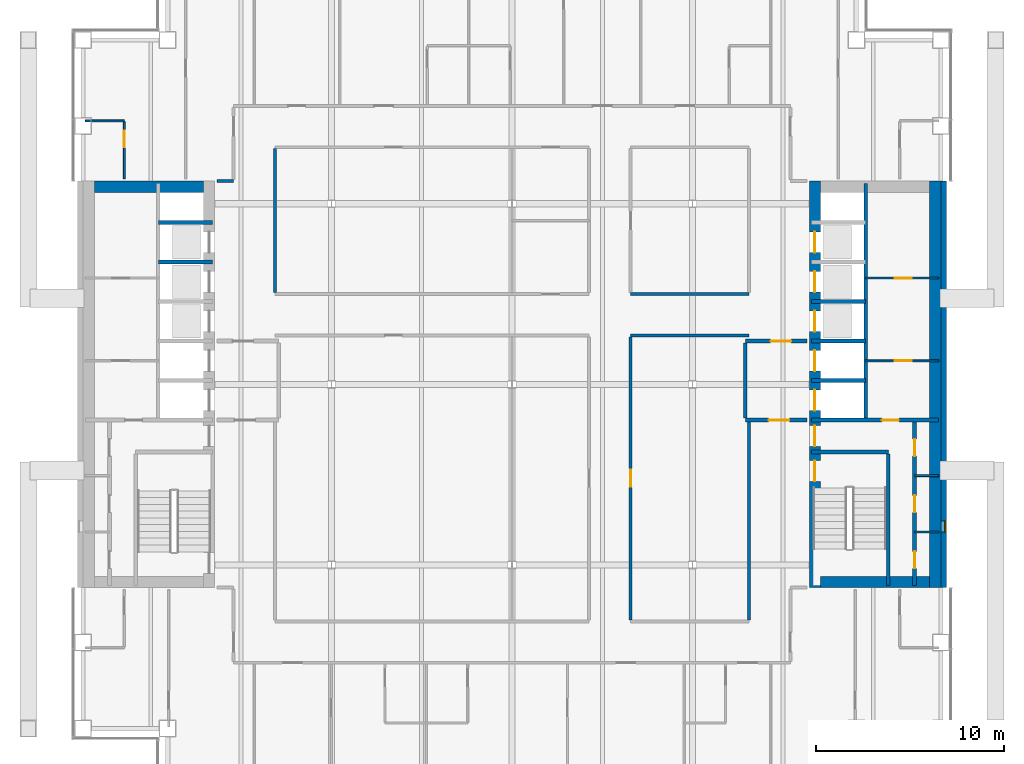
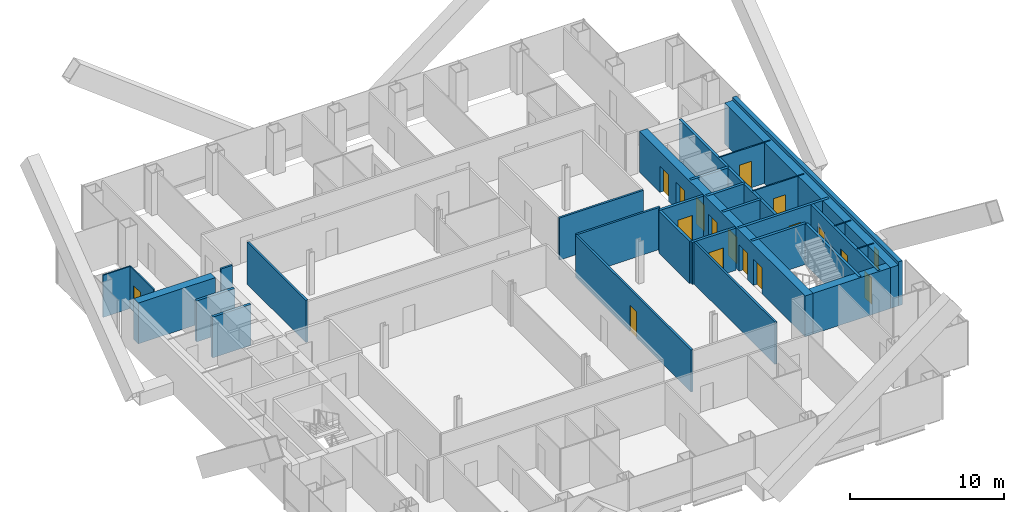
# One storey, part 13 of 17: 30 walls, 17 doors, 1 window, 18 openings.
"""IFC4 building model written with IfcOpenShell, lengths in metres."""

from ifc_helpers import new_model, si_unit, direction, frame, frame_2d, origin, place, context, subcontext, project, spatial, rectangle, extrude, material, layer, layer_set, type_object, element, fill, save


model = new_model("IFC4")

# Units and contexts
model_context = context("Model", 3, precision=1e-05, world=origin(), true_north=direction((0.0, 1.0)))
body_context = subcontext(model_context, "Body", "Model", "MODEL_VIEW")
ifc_project = project(units=[si_unit("LENGTHUNIT", "METRE"), si_unit("AREAUNIT", "SQUARE_METRE"), si_unit("VOLUMEUNIT", "CUBIC_METRE"), si_unit("PLANEANGLEUNIT", "RADIAN"), si_unit("MASSUNIT", "GRAM", prefix="KILO")], contexts=[model_context])

# Site, building, storey
site_placement = place(None, origin())
site = spatial("IfcSite", under=ifc_project, at=site_placement, CompositionType="ELEMENT")
building_placement = place(site_placement, origin())
building = spatial("IfcBuilding", under=site, at=building_placement, Name="Cobrizo Arcos Hotel Tower", CompositionType="ELEMENT")
storey_placement = place(building_placement, frame((0.0, 0.0, 106.5)))
storey = spatial("IfcBuildingStorey", under=building, at=storey_placement, Name="L26", CompositionType="ELEMENT", Elevation=106.5)

# Walls
ifc_material_1 = material(Name="Gypsum board partition")
ifc_layer_1 = layer(ifc_material_1, 0.14990234375)
ifc_layer_set_1 = layer_set([ifc_layer_1], Name="Corridor wall EI 60 150")
wall_type_1 = type_object("IfcWallType", Name="Corridor wall EI 60 150", PredefinedType="PARTITIONING", material=ifc_layer_set_1)
for number, where, z_axis, x_axis, name in (
    (1, (6.300048828125, 2.60009765625, 0.0), (0.0, 0.0, 1.0), (1.0, 0.0, 0.0), "Partition 029"),
    (2, (6.300048828125, 4.800048828125, 0.0), (0.0, 0.0, 1.0), (1.0, 0.0, 0.0), "Partition 033"),
):
    element("IfcWall", number, at=place(storey_placement, frame(where, z_axis=z_axis, x_axis=x_axis)), inside=storey, type_object=wall_type_1, Name=name, PredefinedType="PARTITIONING", context=body_context, shape_type="SweptSolid", body=[
        extrude(rectangle(XDim=6.300048828125, YDim=0.14990234375, at=frame_2d((3.14990234375, 0.0))), origin(), (0.0, 0.0, 1.0), 3.35009765625),
    ])
wall_1_placement = place(storey_placement, frame((-15.679931640625, 10.800048828125, 0.0), z_axis=(0.0, 0.0, 1.0), x_axis=(1.0, 0.0, 0.0)))
element("IfcWall", 3, at=wall_1_placement, inside=storey, type_object=wall_type_1, Name="Partition 041", PredefinedType="PARTITIONING", context=body_context, shape_type="SweptSolid", body=[
    extrude(rectangle(XDim=0.8798828125, YDim=0.14990234375, at=frame_2d((0.43994140625, 0.0))), origin(), (0.0, 0.0, 1.0), 3.35009765625),
])
wall_2_placement = place(storey_placement, frame((-12.60009765625, 4.875, 0.0), z_axis=(0.0, 0.0, 1.0), x_axis=(0.0, 1.0, 0.0)))
element("IfcWall", 4, at=wall_2_placement, inside=storey, type_object=wall_type_1, Name="Partition 062", PredefinedType="PARTITIONING", context=body_context, shape_type="SweptSolid", body=[
    extrude(rectangle(XDim=7.64990234375, YDim=0.14990234375, at=frame_2d((3.824951171875, 0.0))), origin(), (0.0, 0.0, 1.0), 3.35009765625),
])

# Wall, opening, door
wall_3_placement = place(storey_placement, frame((6.300048828125, -12.52490234375, 0.0), z_axis=(0.0, 0.0, 1.0), x_axis=(0.0, 1.0, 0.0)))
wall_3 = element("IfcWall", 5, at=wall_3_placement, inside=storey, type_object=wall_type_1, Name="Partition 087", PredefinedType="PARTITIONING", context=body_context, shape_type="SweptSolid", body=[
    extrude(rectangle(XDim=15.0498046875, YDim=0.14990234375, at=frame_2d((7.52490234375, 0.0))), origin(), (0.0, 0.0, 1.0), 3.35009765625),
])
opening_1_placement = place(wall_3_placement, frame((7.074951171875, 0.0, 0.0)))
opening_1 = element("IfcOpeningElement", 6, at=opening_1_placement, cuts=wall_3, Name="Opening RD-21", PredefinedType="OPENING", context=body_context, shape_type="SweptSolid", body=[
    extrude(rectangle(XDim=0.89990234375, YDim=2.10009765625, at=frame_2d((0.449951171875, 1.050048828125))), frame((0.0, 0.0869140625, 0.0), z_axis=(0.0, -1.0, 0.0), x_axis=(1.0, 0.0, 0.0)), (0.0, 0.0, 1.0), 0.173828125),
])
ifc_material_2 = material(Name="Timber door leaf", Category="wood")
door_type_1 = type_object("IfcDoorType", Name="Room door FD30 900x2100", OperationType="SINGLE_SWING_LEFT", PredefinedType="DOOR", material=ifc_material_2)
door_1_placement = place(opening_1_placement, origin())
door_1 = element("IfcDoor", 7, at=door_1_placement, inside=storey, type_object=door_type_1, Name="Door RD-21", OperationType="SINGLE_SWING_RIGHT", OverallHeight=2.10009765625, OverallWidth=0.89990234375, PredefinedType="DOOR", context=body_context, shape_type="SweptSolid", body=[
    extrude(rectangle(XDim=0.89990234375, YDim=2.10009765625, at=frame_2d((0.449951171875, 1.050048828125))), frame((0.0, 0.02490234375, 0.0), z_axis=(0.0, -1.0, 0.0), x_axis=(1.0, 0.0, 0.0)), (0.0, 0.0, 1.0), 0.050048828125),
])
fill(opening_1, door_1)

# Wall
wall_4_placement = place(storey_placement, frame((12.60009765625, -12.52490234375, 0.0), z_axis=(0.0, 0.0, 1.0), x_axis=(0.0, 1.0, 0.0)))
element("IfcWall", 8, at=wall_4_placement, inside=storey, type_object=wall_type_1, Name="Partition 094", PredefinedType="PARTITIONING", context=body_context, shape_type="SweptSolid", body=[
    extrude(rectangle(XDim=10.52490234375, YDim=0.14990234375, at=frame_2d((5.262451171875, 0.0))), origin(), (0.0, 0.0, 1.0), 3.35009765625),
])

# Wall, opening, window
ifc_material_3 = material(Name="Aluminium composite panel pale metal", Category="aluminium")
ifc_layer_2 = layer(ifc_material_3, 0.300048828125)
ifc_layer_set_2 = layer_set([ifc_layer_2], Name="EW-1 insulated panel wall 300")
wall_type_2 = type_object("IfcWallType", Name="EW-1 insulated panel wall 300", PredefinedType="SOLIDWALL", material=ifc_layer_set_2)
wall_5_placement = place(storey_placement, frame((22.949951171875, -10.800048828125, 0.0), z_axis=(0.0, 0.0, 1.0), x_axis=(0.0, 1.0, 0.0)))
wall_5 = element("IfcWall", 9, at=wall_5_placement, inside=storey, type_object=wall_type_2, Name="Core face wall L26 E", PredefinedType="SOLIDWALL", context=body_context, shape_type="SweptSolid", body=[
    extrude(rectangle(XDim=21.60009765625, YDim=0.300048828125, at=frame_2d((10.800048828125, 0.0))), origin(), (0.0, 0.0, 1.0), 3.5),
])
opening_2_placement = place(wall_5_placement, frame((2.949951171875, 0.0, 1.0)))
opening_2 = element("IfcOpeningElement", 10, at=opening_2_placement, cuts=wall_5, Name="Opening W-53", PredefinedType="OPENING", context=body_context, shape_type="SweptSolid", body=[
    extrude(rectangle(XDim=0.60009765625, YDim=1.5, at=frame_2d((0.300048828125, 0.75))), frame((0.0, 0.162109375, 0.0), z_axis=(0.0, -1.0, 0.0), x_axis=(1.0, 0.0, 0.0)), (0.0, 0.0, 1.0), 0.323974609375),
])
ifc_material_4 = material(Name="Aluminium 6063-T6 and clear laminated glass", Category="aluminium")
window_type = type_object("IfcWindowType", Name="W-C1 core stair slot window 600x1500", PartitioningType="SINGLE_PANEL", PredefinedType="WINDOW", material=ifc_material_4)
window_placement = place(opening_2_placement, origin())
window = element("IfcWindow", 11, at=window_placement, inside=storey, type_object=window_type, Name="Core face wall L26 E window W-53", OverallHeight=1.5, OverallWidth=0.60009765625, PartitioningType="SINGLE_PANEL", PredefinedType="WINDOW", context=body_context, shape_type="SweptSolid", body=[
    extrude(rectangle(XDim=0.60009765625, YDim=1.5, at=frame_2d((0.300048828125, 0.75))), frame((0.0, -0.06005859375, 0.0), z_axis=(0.0, -1.0, 0.0), x_axis=(1.0, 0.0, 0.0)), (0.0, 0.0, 1.0), 0.06005859375),
])
fill(opening_2, window)

# Walls
ifc_layer_3 = layer(ifc_material_1, 0.10009765625)
ifc_layer_set_3 = layer_set([ifc_layer_3], Name="Partition EI 30 100")
wall_type_3 = type_object("IfcWallType", Name="Partition EI 30 100", PredefinedType="PARTITIONING", material=ifc_layer_set_3)
for number, where, z_axis, x_axis, name in (
    (12, (21.39990234375, -7.85009765625, 0.0), (0.0, 0.0, 1.0), (1.0, 0.0, 0.0), "Partition 011"),
    (13, (21.39990234375, -4.85009765625, 0.0), (0.0, 0.0, 1.0), (1.0, 0.0, 0.0), "Partition 013"),
):
    element("IfcWall", number, at=place(storey_placement, frame(where, z_axis=z_axis, x_axis=x_axis)), inside=storey, type_object=wall_type_3, Name=name, PredefinedType="PARTITIONING", context=body_context, shape_type="SweptSolid", body=[
        extrude(rectangle(XDim=1.280029296875, YDim=0.10009765625, at=frame_2d((0.64013671875, 0.0))), origin(), (0.0, 0.0, 1.0), 3.25),
    ])

# Wall, opening, door
wall_6_placement = place(storey_placement, frame((18.800048828125, 1.25, 0.0), z_axis=(0.0, 0.0, 1.0), x_axis=(1.0, 0.0, 0.0)))
wall_6 = element("IfcWall", 14, at=wall_6_placement, inside=storey, type_object=wall_type_3, Name="Partition 023", PredefinedType="PARTITIONING", context=body_context, shape_type="SweptSolid", body=[
    extrude(rectangle(XDim=3.8798828125, YDim=0.10009765625, at=frame_2d((1.93994140625, 0.0))), origin(), (0.0, 0.0, 1.0), 3.25),
])
opening_3_placement = place(wall_6_placement, frame((1.550048828125, 0.0, 0.0)))
opening_3 = element("IfcOpeningElement", 15, at=opening_3_placement, cuts=wall_6, Name="Opening RD-09", PredefinedType="OPENING", context=body_context, shape_type="SweptSolid", body=[
    extrude(rectangle(XDim=0.89990234375, YDim=2.10009765625, at=frame_2d((0.449951171875, 1.050048828125))), frame((0.0, 0.06201171875, 0.0), z_axis=(0.0, -1.0, 0.0), x_axis=(1.0, 0.0, 0.0)), (0.0, 0.0, 1.0), 0.1240234375),
])
door_2_placement = place(opening_3_placement, origin())
door_2 = element("IfcDoor", 16, at=door_2_placement, inside=storey, type_object=door_type_1, Name="Door RD-09", OperationType="SINGLE_SWING_RIGHT", OverallHeight=2.10009765625, OverallWidth=0.89990234375, PredefinedType="DOOR", context=body_context, shape_type="SweptSolid", body=[
    extrude(rectangle(XDim=0.89990234375, YDim=2.10009765625, at=frame_2d((0.449951171875, 1.050048828125))), frame((0.0, 0.02490234375, 0.0), z_axis=(0.0, -1.0, 0.0), x_axis=(1.0, 0.0, 0.0)), (0.0, 0.0, 1.0), 0.050048828125),
])
fill(opening_3, door_2)

wall_7_placement = place(storey_placement, frame((18.800048828125, 5.64990234375, 0.0), z_axis=(0.0, 0.0, 1.0), x_axis=(1.0, 0.0, 0.0)))
wall_7 = element("IfcWall", 17, at=wall_7_placement, inside=storey, type_object=wall_type_3, Name="Partition 035", PredefinedType="PARTITIONING", context=body_context, shape_type="SweptSolid", body=[
    extrude(rectangle(XDim=3.8798828125, YDim=0.10009765625, at=frame_2d((1.93994140625, 0.0))), origin(), (0.0, 0.0, 1.0), 3.25),
])
opening_4_placement = place(wall_7_placement, frame((1.550048828125, 0.0, 0.0)))
opening_4 = element("IfcOpeningElement", 18, at=opening_4_placement, cuts=wall_7, Name="Opening RD-10", PredefinedType="OPENING", context=body_context, shape_type="SweptSolid", body=[
    extrude(rectangle(XDim=0.89990234375, YDim=2.10009765625, at=frame_2d((0.449951171875, 1.050048828125))), frame((0.0, 0.06201171875, 0.0), z_axis=(0.0, -1.0, 0.0), x_axis=(1.0, 0.0, 0.0)), (0.0, 0.0, 1.0), 0.1240234375),
])
door_3_placement = place(opening_4_placement, origin())
door_3 = element("IfcDoor", 19, at=door_3_placement, inside=storey, type_object=door_type_1, Name="Door RD-10", OperationType="SINGLE_SWING_LEFT", OverallHeight=2.10009765625, OverallWidth=0.89990234375, PredefinedType="DOOR", context=body_context, shape_type="SweptSolid", body=[
    extrude(rectangle(XDim=0.89990234375, YDim=2.10009765625, at=frame_2d((0.449951171875, 1.050048828125))), frame((0.0, 0.02490234375, 0.0), z_axis=(0.0, -1.0, 0.0), x_axis=(1.0, 0.0, 0.0)), (0.0, 0.0, 1.0), 0.050048828125),
])
fill(opening_4, door_3)

# Wall
wall_8_placement = place(storey_placement, frame((-22.679931640625, 14.0, 0.0), z_axis=(0.0, 0.0, 1.0), x_axis=(1.0, 0.0, 0.0)))
element("IfcWall", 20, at=wall_8_placement, inside=storey, type_object=wall_type_3, Name="Partition 045", PredefinedType="PARTITIONING", context=body_context, shape_type="SweptSolid", body=[
    extrude(rectangle(XDim=2.079833984375, YDim=0.10009765625, at=frame_2d((1.0400390625, 0.0))), origin(), (0.0, 0.0, 1.0), 3.35009765625),
])

# Wall, opening, door
wall_9_placement = place(storey_placement, frame((-20.60009765625, 10.919921875, 0.0), z_axis=(0.0, 0.0, 1.0), x_axis=(0.0, 1.0, 0.0)))
wall_9 = element("IfcWall", 21, at=wall_9_placement, inside=storey, type_object=wall_type_3, Name="Partition 052", PredefinedType="PARTITIONING", context=body_context, shape_type="SweptSolid", body=[
    extrude(rectangle(XDim=3.030029296875, YDim=0.10009765625, at=frame_2d((1.51513671875, 0.0))), origin(), (0.0, 0.0, 1.0), 3.35009765625),
])
opening_5_placement = place(wall_9_placement, frame((1.669921875, 0.0, 0.0)))
opening_5 = element("IfcOpeningElement", 22, at=opening_5_placement, cuts=wall_9, Name="Opening ED-10", PredefinedType="OPENING", context=body_context, shape_type="SweptSolid", body=[
    extrude(rectangle(XDim=0.89990234375, YDim=2.10009765625, at=frame_2d((0.449951171875, 1.050048828125))), frame((0.0, 0.06201171875, 0.0), z_axis=(0.0, -1.0, 0.0), x_axis=(1.0, 0.0, 0.0)), (0.0, 0.0, 1.0), 0.1240234375),
])
door_type_2 = type_object("IfcDoorType", Name="En-suite door 900x2100", OperationType="SINGLE_SWING_LEFT", PredefinedType="DOOR", material=ifc_material_2)
door_4_placement = place(opening_5_placement, origin())
door_4 = element("IfcDoor", 23, at=door_4_placement, inside=storey, type_object=door_type_2, Name="Door ED-10", OperationType="SINGLE_SWING_RIGHT", OverallHeight=2.10009765625, OverallWidth=0.89990234375, PredefinedType="DOOR", context=body_context, shape_type="SweptSolid", body=[
    extrude(rectangle(XDim=0.89990234375, YDim=2.10009765625, at=frame_2d((0.449951171875, 1.050048828125))), frame((0.0, 0.02490234375, 0.0), z_axis=(0.0, -1.0, 0.0), x_axis=(1.0, 0.0, 0.0)), (0.0, 0.0, 1.0), 0.050048828125),
])
fill(opening_5, door_4)

# Wall, openings, doors
ifc_material_5 = material(Name="Concrete f'c 50 MPa", Category="concrete")
ifc_layer_4 = layer(ifc_material_5, 0.60009765625)
ifc_layer_set_4 = layer_set([ifc_layer_4], Name="RC core wall 600 f'c 50")
wall_type_4 = type_object("IfcWallType", Name="RC core wall 600 f'c 50", PredefinedType="SHEAR", material=ifc_layer_set_4)
wall_10_placement = place(storey_placement, frame((16.10009765625, -10.800048828125, 0.0), z_axis=(0.0, 0.0, 1.0), x_axis=(0.0, 1.0, 0.0)))
wall_10 = element("IfcWall", 24, at=wall_10_placement, inside=storey, type_object=wall_type_4, Name="Core wall CW2, east core, inner face, L26", PredefinedType="SHEAR", context=body_context, shape_type="SweptSolid", body=[
    extrude(rectangle(XDim=21.60009765625, YDim=0.60009765625, at=frame_2d((10.800048828125, 0.0))), origin(), (0.0, 0.0, 1.0), 3.25),
])
opening_6_placement = place(wall_10_placement, frame((9.39990234375, 0.0, 0.0)))
opening_6 = element("IfcOpeningElement", 25, at=opening_6_placement, cuts=wall_10, Name="Opening LD-06", PredefinedType="OPENING", context=body_context, shape_type="SweptSolid", body=[
    extrude(rectangle(XDim=1.10009765625, YDim=2.10009765625, at=frame_2d((0.550048828125, 1.050048828125))), frame((0.0, 0.31201171875, 0.0), z_axis=(0.0, -1.0, 0.0), x_axis=(1.0, 0.0, 0.0)), (0.0, 0.0, 1.0), 0.6240234375),
])
opening_7_placement = place(wall_10_placement, frame((11.5, 0.0, 0.0)))
opening_7 = element("IfcOpeningElement", 26, at=opening_7_placement, cuts=wall_10, Name="Opening LD-07", PredefinedType="OPENING", context=body_context, shape_type="SweptSolid", body=[
    extrude(rectangle(XDim=1.10009765625, YDim=2.10009765625, at=frame_2d((0.550048828125, 1.050048828125))), frame((0.0, 0.31201171875, 0.0), z_axis=(0.0, -1.0, 0.0), x_axis=(1.0, 0.0, 0.0)), (0.0, 0.0, 1.0), 0.6240234375),
])
opening_8_placement = place(wall_10_placement, frame((13.60009765625, 0.0, 0.0)))
opening_8 = element("IfcOpeningElement", 27, at=opening_8_placement, cuts=wall_10, Name="Opening LD-08", PredefinedType="OPENING", context=body_context, shape_type="SweptSolid", body=[
    extrude(rectangle(XDim=1.10009765625, YDim=2.10009765625, at=frame_2d((0.550048828125, 1.050048828125))), frame((0.0, 0.31201171875, 0.0), z_axis=(0.0, -1.0, 0.0), x_axis=(1.0, 0.0, 0.0)), (0.0, 0.0, 1.0), 0.6240234375),
])
opening_9_placement = place(wall_10_placement, frame((15.699951171875, 0.0, 0.0)))
opening_9 = element("IfcOpeningElement", 28, at=opening_9_placement, cuts=wall_10, Name="Opening LD-09", PredefinedType="OPENING", context=body_context, shape_type="SweptSolid", body=[
    extrude(rectangle(XDim=1.10009765625, YDim=2.10009765625, at=frame_2d((0.550048828125, 1.050048828125))), frame((0.0, 0.31201171875, 0.0), z_axis=(0.0, -1.0, 0.0), x_axis=(1.0, 0.0, 0.0)), (0.0, 0.0, 1.0), 0.6240234375),
])
opening_10_placement = place(wall_10_placement, frame((17.800048828125, 0.0, 0.0)))
opening_10 = element("IfcOpeningElement", 29, at=opening_10_placement, cuts=wall_10, Name="Opening LD-10", PredefinedType="OPENING", context=body_context, shape_type="SweptSolid", body=[
    extrude(rectangle(XDim=1.10009765625, YDim=2.10009765625, at=frame_2d((0.550048828125, 1.050048828125))), frame((0.0, 0.31201171875, 0.0), z_axis=(0.0, -1.0, 0.0), x_axis=(1.0, 0.0, 0.0)), (0.0, 0.0, 1.0), 0.6240234375),
])
opening_11_placement = place(wall_10_placement, frame((5.64208984375, 0.0, 0.0)))
opening_11 = element("IfcOpeningElement", 30, at=opening_11_placement, cuts=wall_10, Name="Opening SD-02", PredefinedType="OPENING", context=body_context, shape_type="SweptSolid", body=[
    extrude(rectangle(XDim=1.10009765625, YDim=2.10009765625, at=frame_2d((0.550048828125, 1.050048828125))), frame((0.0, 0.31201171875, 0.0), z_axis=(0.0, -1.0, 0.0), x_axis=(1.0, 0.0, 0.0)), (0.0, 0.0, 1.0), 0.6240234375),
])
opening_12_placement = place(wall_10_placement, frame((7.5, 0.0, 0.0)))
opening_12 = element("IfcOpeningElement", 31, at=opening_12_placement, cuts=wall_10, Name="Opening FD-04", PredefinedType="OPENING", context=body_context, shape_type="SweptSolid", body=[
    extrude(rectangle(XDim=1.10009765625, YDim=2.10009765625, at=frame_2d((0.550048828125, 1.050048828125))), frame((0.0, 0.31201171875, 0.0), z_axis=(0.0, -1.0, 0.0), x_axis=(1.0, 0.0, 0.0)), (0.0, 0.0, 1.0), 0.6240234375),
])
ifc_material_6 = material(Name="Steel door leaf", Category="steel")
door_type_3 = type_object("IfcDoorType", Name="Fire door FD60 1100x2100", OperationType="SINGLE_SWING_LEFT", PredefinedType="DOOR", material=ifc_material_6)
door_5_placement = place(opening_12_placement, origin())
door_5 = element("IfcDoor", 32, at=door_5_placement, inside=storey, type_object=door_type_3, Name="Door FD-04", OperationType="SINGLE_SWING_LEFT", OverallHeight=2.10009765625, OverallWidth=1.10009765625, PredefinedType="DOOR", context=body_context, shape_type="SweptSolid", body=[
    extrude(rectangle(XDim=1.10009765625, YDim=2.10009765625, at=frame_2d((0.550048828125, 1.050048828125))), frame((0.0, 0.02490234375, 0.0), z_axis=(0.0, -1.0, 0.0), x_axis=(1.0, 0.0, 0.0)), (0.0, 0.0, 1.0), 0.050048828125),
])
fill(opening_12, door_5)
door_type_4 = type_object("IfcDoorType", Name="Lift landing door 1100x2100", OperationType="SLIDING_TO_LEFT", PredefinedType="DOOR", material=ifc_material_6)
door_6_placement = place(opening_6_placement, origin())
door_6 = element("IfcDoor", 33, at=door_6_placement, inside=storey, type_object=door_type_4, Name="Lift landing door LD-06", OperationType="SLIDING_TO_LEFT", OverallHeight=2.10009765625, OverallWidth=1.10009765625, PredefinedType="DOOR", context=body_context, shape_type="SweptSolid", body=[
    extrude(rectangle(XDim=1.10009765625, YDim=2.10009765625, at=frame_2d((0.550048828125, 1.050048828125))), frame((0.0, 0.02490234375, 0.0), z_axis=(0.0, -1.0, 0.0), x_axis=(1.0, 0.0, 0.0)), (0.0, 0.0, 1.0), 0.050048828125),
])
fill(opening_6, door_6)
door_7_placement = place(opening_7_placement, origin())
door_7 = element("IfcDoor", 34, at=door_7_placement, inside=storey, type_object=door_type_4, Name="Lift landing door LD-07", OperationType="SLIDING_TO_LEFT", OverallHeight=2.10009765625, OverallWidth=1.10009765625, PredefinedType="DOOR", context=body_context, shape_type="SweptSolid", body=[
    extrude(rectangle(XDim=1.10009765625, YDim=2.10009765625, at=frame_2d((0.550048828125, 1.050048828125))), frame((0.0, 0.02490234375, 0.0), z_axis=(0.0, -1.0, 0.0), x_axis=(1.0, 0.0, 0.0)), (0.0, 0.0, 1.0), 0.050048828125),
])
fill(opening_7, door_7)
door_8_placement = place(opening_8_placement, origin())
door_8 = element("IfcDoor", 35, at=door_8_placement, inside=storey, type_object=door_type_4, Name="Lift landing door LD-08", OperationType="SLIDING_TO_LEFT", OverallHeight=2.10009765625, OverallWidth=1.10009765625, PredefinedType="DOOR", context=body_context, shape_type="SweptSolid", body=[
    extrude(rectangle(XDim=1.10009765625, YDim=2.10009765625, at=frame_2d((0.550048828125, 1.050048828125))), frame((0.0, 0.02490234375, 0.0), z_axis=(0.0, -1.0, 0.0), x_axis=(1.0, 0.0, 0.0)), (0.0, 0.0, 1.0), 0.050048828125),
])
fill(opening_8, door_8)
door_9_placement = place(opening_9_placement, origin())
door_9 = element("IfcDoor", 36, at=door_9_placement, inside=storey, type_object=door_type_4, Name="Lift landing door LD-09", OperationType="SLIDING_TO_LEFT", OverallHeight=2.10009765625, OverallWidth=1.10009765625, PredefinedType="DOOR", context=body_context, shape_type="SweptSolid", body=[
    extrude(rectangle(XDim=1.10009765625, YDim=2.10009765625, at=frame_2d((0.550048828125, 1.050048828125))), frame((0.0, 0.02490234375, 0.0), z_axis=(0.0, -1.0, 0.0), x_axis=(1.0, 0.0, 0.0)), (0.0, 0.0, 1.0), 0.050048828125),
])
fill(opening_9, door_9)
door_10_placement = place(opening_10_placement, origin())
door_10 = element("IfcDoor", 37, at=door_10_placement, inside=storey, type_object=door_type_4, Name="Lift landing door LD-10", OperationType="SLIDING_TO_LEFT", OverallHeight=2.10009765625, OverallWidth=1.10009765625, PredefinedType="DOOR", context=body_context, shape_type="SweptSolid", body=[
    extrude(rectangle(XDim=1.10009765625, YDim=2.10009765625, at=frame_2d((0.550048828125, 1.050048828125))), frame((0.0, 0.02490234375, 0.0), z_axis=(0.0, -1.0, 0.0), x_axis=(1.0, 0.0, 0.0)), (0.0, 0.0, 1.0), 0.050048828125),
])
fill(opening_10, door_10)
door_type_5 = type_object("IfcDoorType", Name="Stair door FD60S 1100x2100", OperationType="SINGLE_SWING_LEFT", PredefinedType="DOOR", material=ifc_material_6)
door_11_placement = place(opening_11_placement, origin())
door_11 = element("IfcDoor", 38, at=door_11_placement, inside=storey, type_object=door_type_5, Name="Door SD-02", OperationType="SINGLE_SWING_RIGHT", OverallHeight=2.10009765625, OverallWidth=1.10009765625, PredefinedType="DOOR", context=body_context, shape_type="SweptSolid", body=[
    extrude(rectangle(XDim=1.10009765625, YDim=2.10009765625, at=frame_2d((0.550048828125, 1.050048828125))), frame((0.0, 0.02490234375, 0.0), z_axis=(0.0, -1.0, 0.0), x_axis=(1.0, 0.0, 0.0)), (0.0, 0.0, 1.0), 0.050048828125),
])
fill(opening_11, door_11)

# Walls
wall_11_placement = place(storey_placement, frame((22.5, -10.800048828125, 0.0), z_axis=(0.0, 0.0, 1.0), x_axis=(0.0, 1.0, 0.0)))
element("IfcWall", 39, at=wall_11_placement, inside=storey, type_object=wall_type_4, Name="Core wall CW2, east core, outer face, L26", PredefinedType="SHEAR", context=body_context, shape_type="SweptSolid", body=[
    extrude(rectangle(XDim=21.60009765625, YDim=0.60009765625, at=frame_2d((10.800048828125, 0.0))), origin(), (0.0, 0.0, 1.0), 3.25),
])
for number, where, z_axis, x_axis, name in (
    (40, (16.39990234375, -10.5, 0.0), (0.0, 0.0, 1.0), (1.0, 0.0, 0.0), "Core wall CW2, east core, south end, L26"),
    (41, (-22.199951171875, 10.5, 0.0), (0.0, 0.0, 1.0), (1.0, 0.0, 0.0), "Core wall CW2, west core, north end, L26"),
):
    element("IfcWall", number, at=place(storey_placement, frame(where, z_axis=z_axis, x_axis=x_axis)), inside=storey, type_object=wall_type_4, Name=name, PredefinedType="SHEAR", context=body_context, shape_type="SweptSolid", body=[
        extrude(rectangle(XDim=5.800048828125, YDim=0.60009765625, at=frame_2d((2.89990234375, 0.0))), origin(), (0.0, 0.0, 1.0), 3.25),
    ])

# Wall, opening, door
ifc_layer_5 = layer(ifc_material_1, 0.199951171875)
ifc_layer_set_5 = layer_set([ifc_layer_5], Name="Shaft wall EI 120 200")
wall_type_5 = type_object("IfcWallType", Name="Shaft wall EI 120 200", PredefinedType="PARTITIONING", material=ifc_layer_set_5)
wall_12_placement = place(storey_placement, frame((12.39990234375, -1.89990234375, 0.0), z_axis=(0.0, 0.0, 1.0), x_axis=(1.0, 0.0, 0.0)))
wall_12 = element("IfcWall", 42, at=wall_12_placement, inside=storey, type_object=wall_type_5, Name="Partition 018", PredefinedType="PARTITIONING", context=body_context, shape_type="SweptSolid", body=[
    extrude(rectangle(XDim=3.280029296875, YDim=0.199951171875, at=frame_2d((1.64013671875, 0.0))), origin(), (0.0, 0.0, 1.0), 3.35009765625),
])
opening_13_placement = place(wall_12_placement, frame((1.239990234375, 0.0, 0.0)))
opening_13 = element("IfcOpeningElement", 43, at=opening_13_placement, cuts=wall_12, Name="Opening FD-05", PredefinedType="OPENING", context=body_context, shape_type="SweptSolid", body=[
    extrude(rectangle(XDim=1.10009765625, YDim=2.10009765625, at=frame_2d((0.550048828125, 1.050048828125))), frame((0.0, 0.112060546875, 0.0), z_axis=(0.0, -1.0, 0.0), x_axis=(1.0, 0.0, 0.0)), (0.0, 0.0, 1.0), 0.223876953125),
])
door_12_placement = place(opening_13_placement, origin())
door_12 = element("IfcDoor", 44, at=door_12_placement, inside=storey, type_object=door_type_3, Name="Door FD-05", OperationType="SINGLE_SWING_RIGHT", OverallHeight=2.10009765625, OverallWidth=1.10009765625, PredefinedType="DOOR", context=body_context, shape_type="SweptSolid", body=[
    extrude(rectangle(XDim=1.10009765625, YDim=2.10009765625, at=frame_2d((0.550048828125, 1.050048828125))), frame((0.0, 0.02490234375, 0.0), z_axis=(0.0, -1.0, 0.0), x_axis=(1.0, 0.0, 0.0)), (0.0, 0.0, 1.0), 0.050048828125),
])
fill(opening_13, door_12)

wall_13_placement = place(storey_placement, frame((15.919921875, -1.89990234375, 0.0), z_axis=(0.0, 0.0, 1.0), x_axis=(1.0, 0.0, 0.0)))
wall_13 = element("IfcWall", 45, at=wall_13_placement, inside=storey, type_object=wall_type_5, Name="Partition 019", PredefinedType="PARTITIONING", context=body_context, shape_type="SweptSolid", body=[
    extrude(rectangle(XDim=6.760009765625, YDim=0.199951171875, at=frame_2d((3.3798828125, 0.0))), origin(), (0.0, 0.0, 1.0), 3.25),
])
opening_14_placement = place(wall_13_placement, frame((3.739990234375, 0.0, 0.0)))
opening_14 = element("IfcOpeningElement", 46, at=opening_14_placement, cuts=wall_13, Name="Opening RD-08", PredefinedType="OPENING", context=body_context, shape_type="SweptSolid", body=[
    extrude(rectangle(XDim=0.89990234375, YDim=2.10009765625, at=frame_2d((0.449951171875, 1.050048828125))), frame((0.0, 0.112060546875, 0.0), z_axis=(0.0, -1.0, 0.0), x_axis=(1.0, 0.0, 0.0)), (0.0, 0.0, 1.0), 0.223876953125),
])
door_13_placement = place(opening_14_placement, origin())
door_13 = element("IfcDoor", 47, at=door_13_placement, inside=storey, type_object=door_type_1, Name="Door RD-08", OperationType="SINGLE_SWING_RIGHT", OverallHeight=2.10009765625, OverallWidth=0.89990234375, PredefinedType="DOOR", context=body_context, shape_type="SweptSolid", body=[
    extrude(rectangle(XDim=0.89990234375, YDim=2.10009765625, at=frame_2d((0.449951171875, 1.050048828125))), frame((0.0, 0.02490234375, 0.0), z_axis=(0.0, -1.0, 0.0), x_axis=(1.0, 0.0, 0.0)), (0.0, 0.0, 1.0), 0.050048828125),
])
fill(opening_14, door_13)

# Wall
wall_14_placement = place(storey_placement, frame((15.919921875, 0.199951171875, 0.0), z_axis=(0.0, 0.0, 1.0), x_axis=(1.0, 0.0, 0.0)))
element("IfcWall", 48, at=wall_14_placement, inside=storey, type_object=wall_type_5, Name="Partition 021", PredefinedType="PARTITIONING", context=body_context, shape_type="SweptSolid", body=[
    extrude(rectangle(XDim=2.880126953125, YDim=0.199951171875, at=frame_2d((1.43994140625, 0.0))), origin(), (0.0, 0.0, 1.0), 3.25),
])

# Wall, opening, door
wall_15_placement = place(storey_placement, frame((12.39990234375, 2.300048828125, 0.0), z_axis=(0.0, 0.0, 1.0), x_axis=(1.0, 0.0, 0.0)))
wall_15 = element("IfcWall", 49, at=wall_15_placement, inside=storey, type_object=wall_type_5, Name="Partition 026", PredefinedType="PARTITIONING", context=body_context, shape_type="SweptSolid", body=[
    extrude(rectangle(XDim=3.280029296875, YDim=0.199951171875, at=frame_2d((1.64013671875, 0.0))), origin(), (0.0, 0.0, 1.0), 3.35009765625),
])
opening_15_placement = place(wall_15_placement, frame((1.340087890625, 0.0, 0.0)))
opening_15 = element("IfcOpeningElement", 50, at=opening_15_placement, cuts=wall_15, Name="Opening FD-06", PredefinedType="OPENING", context=body_context, shape_type="SweptSolid", body=[
    extrude(rectangle(XDim=1.10009765625, YDim=2.10009765625, at=frame_2d((0.550048828125, 1.050048828125))), frame((0.0, 0.112060546875, 0.0), z_axis=(0.0, -1.0, 0.0), x_axis=(1.0, 0.0, 0.0)), (0.0, 0.0, 1.0), 0.223876953125),
])
door_14_placement = place(opening_15_placement, origin())
door_14 = element("IfcDoor", 51, at=door_14_placement, inside=storey, type_object=door_type_3, Name="Door FD-06", OperationType="SINGLE_SWING_LEFT", OverallHeight=2.10009765625, OverallWidth=1.10009765625, PredefinedType="DOOR", context=body_context, shape_type="SweptSolid", body=[
    extrude(rectangle(XDim=1.10009765625, YDim=2.10009765625, at=frame_2d((0.550048828125, 1.050048828125))), frame((0.0, 0.02490234375, 0.0), z_axis=(0.0, -1.0, 0.0), x_axis=(1.0, 0.0, 0.0)), (0.0, 0.0, 1.0), 0.050048828125),
])
fill(opening_15, door_14)

# Walls
for number, where, z_axis, x_axis, name in (
    (52, (15.919921875, 2.300048828125, 0.0), (0.0, 0.0, 1.0), (1.0, 0.0, 0.0), "Partition 027"),
    (53, (15.919921875, 4.39990234375, 0.0), (0.0, 0.0, 1.0), (1.0, 0.0, 0.0), "Partition 031"),
    (54, (-18.800048828125, 6.5, 0.0), (0.0, 0.0, 1.0), (1.0, 0.0, 0.0), "Partition 036"),
    (55, (-18.800048828125, 8.60009765625, 0.0), (0.0, 0.0, 1.0), (1.0, 0.0, 0.0), "Partition 038"),
):
    element("IfcWall", number, at=place(storey_placement, frame(where, z_axis=z_axis, x_axis=x_axis)), inside=storey, type_object=wall_type_5, Name=name, PredefinedType="PARTITIONING", context=body_context, shape_type="SweptSolid", body=[
        extrude(rectangle(XDim=2.880126953125, YDim=0.199951171875, at=frame_2d((1.43994140625, 0.0))), origin(), (0.0, 0.0, 1.0), 3.25),
    ])
wall_16_placement = place(storey_placement, frame((12.39990234375, -1.800048828125, 0.0), z_axis=(0.0, 0.0, 1.0), x_axis=(0.0, 1.0, 0.0)))
element("IfcWall", 56, at=wall_16_placement, inside=storey, type_object=wall_type_5, Name="Partition 093", PredefinedType="PARTITIONING", context=body_context, shape_type="SweptSolid", body=[
    extrude(rectangle(XDim=4.0, YDim=0.199951171875, at=frame_2d((2.0, 0.0))), origin(), (0.0, 0.0, 1.0), 3.35009765625),
])
wall_17_placement = place(storey_placement, frame((18.800048828125, -1.800048828125, 0.0), z_axis=(0.0, 0.0, 1.0), x_axis=(0.0, 1.0, 0.0)))
element("IfcWall", 57, at=wall_17_placement, inside=storey, type_object=wall_type_5, Name="Partition 102", PredefinedType="PARTITIONING", context=body_context, shape_type="SweptSolid", body=[
    extrude(rectangle(XDim=12.47998046875, YDim=0.199951171875, at=frame_2d((6.239990234375, 0.0))), origin(), (0.0, 0.0, 1.0), 3.25),
])

# Wall, openings, doors
wall_18_placement = place(storey_placement, frame((21.39990234375, -10.679931640625, 0.0), z_axis=(0.0, 0.0, 1.0), x_axis=(0.0, 1.0, 0.0)))
wall_18 = element("IfcWall", 58, at=wall_18_placement, inside=storey, type_object=wall_type_5, Name="Partition 106", PredefinedType="PARTITIONING", context=body_context, shape_type="SweptSolid", body=[
    extrude(rectangle(XDim=8.679931640625, YDim=0.199951171875, at=frame_2d((4.33984375, 0.0))), origin(), (0.0, 0.0, 1.0), 3.25),
])
opening_16_placement = place(wall_18_placement, frame((0.89892578125, 0.0, 0.0)))
opening_16 = element("IfcOpeningElement", 59, at=opening_16_placement, cuts=wall_18, Name="Opening RD-06", PredefinedType="OPENING", context=body_context, shape_type="SweptSolid", body=[
    extrude(rectangle(XDim=0.89990234375, YDim=2.10009765625, at=frame_2d((0.449951171875, 1.050048828125))), frame((0.0, 0.112060546875, 0.0), z_axis=(0.0, -1.0, 0.0), x_axis=(1.0, 0.0, 0.0)), (0.0, 0.0, 1.0), 0.223876953125),
])
opening_17_placement = place(wall_18_placement, frame((3.8798828125, 0.0, 0.0)))
opening_17 = element("IfcOpeningElement", 60, at=opening_17_placement, cuts=wall_18, Name="Opening ED-02", PredefinedType="OPENING", context=body_context, shape_type="SweptSolid", body=[
    extrude(rectangle(XDim=0.89990234375, YDim=2.10009765625, at=frame_2d((0.449951171875, 1.050048828125))), frame((0.0, 0.112060546875, 0.0), z_axis=(0.0, -1.0, 0.0), x_axis=(1.0, 0.0, 0.0)), (0.0, 0.0, 1.0), 0.223876953125),
])
opening_18_placement = place(wall_18_placement, frame((6.862060546875, 0.0, 0.0)))
opening_18 = element("IfcOpeningElement", 61, at=opening_18_placement, cuts=wall_18, Name="Opening RD-07", PredefinedType="OPENING", context=body_context, shape_type="SweptSolid", body=[
    extrude(rectangle(XDim=0.89990234375, YDim=2.10009765625, at=frame_2d((0.449951171875, 1.050048828125))), frame((0.0, 0.112060546875, 0.0), z_axis=(0.0, -1.0, 0.0), x_axis=(1.0, 0.0, 0.0)), (0.0, 0.0, 1.0), 0.223876953125),
])
door_15_placement = place(opening_17_placement, origin())
door_15 = element("IfcDoor", 62, at=door_15_placement, inside=storey, type_object=door_type_2, Name="Door ED-02", OperationType="SINGLE_SWING_LEFT", OverallHeight=2.10009765625, OverallWidth=0.89990234375, PredefinedType="DOOR", context=body_context, shape_type="SweptSolid", body=[
    extrude(rectangle(XDim=0.89990234375, YDim=2.10009765625, at=frame_2d((0.449951171875, 1.050048828125))), frame((0.0, 0.02490234375, 0.0), z_axis=(0.0, -1.0, 0.0), x_axis=(1.0, 0.0, 0.0)), (0.0, 0.0, 1.0), 0.050048828125),
])
fill(opening_17, door_15)
door_16_placement = place(opening_16_placement, origin())
door_16 = element("IfcDoor", 63, at=door_16_placement, inside=storey, type_object=door_type_1, Name="Door RD-06", OperationType="SINGLE_SWING_RIGHT", OverallHeight=2.10009765625, OverallWidth=0.89990234375, PredefinedType="DOOR", context=body_context, shape_type="SweptSolid", body=[
    extrude(rectangle(XDim=0.89990234375, YDim=2.10009765625, at=frame_2d((0.449951171875, 1.050048828125))), frame((0.0, 0.02490234375, 0.0), z_axis=(0.0, -1.0, 0.0), x_axis=(1.0, 0.0, 0.0)), (0.0, 0.0, 1.0), 0.050048828125),
])
fill(opening_16, door_16)
door_17_placement = place(opening_18_placement, origin())
door_17 = element("IfcDoor", 64, at=door_17_placement, inside=storey, type_object=door_type_1, Name="Door RD-07", OperationType="SINGLE_SWING_LEFT", OverallHeight=2.10009765625, OverallWidth=0.89990234375, PredefinedType="DOOR", context=body_context, shape_type="SweptSolid", body=[
    extrude(rectangle(XDim=0.89990234375, YDim=2.10009765625, at=frame_2d((0.449951171875, 1.050048828125))), frame((0.0, 0.02490234375, 0.0), z_axis=(0.0, -1.0, 0.0), x_axis=(1.0, 0.0, 0.0)), (0.0, 0.0, 1.0), 0.050048828125),
])
fill(opening_18, door_17)

# Walls
ifc_material_7 = material(Name="Concrete f'c 40 MPa", Category="concrete")
ifc_layer_6 = layer(ifc_material_7, 0.199951171875)
ifc_layer_set_6 = layer_set([ifc_layer_6], Name="Stair shaft wall 200")
wall_type_6 = type_object("IfcWallType", Name="Stair shaft wall 200", PredefinedType="SHEAR", material=ifc_layer_set_6)
wall_19_placement = place(storey_placement, frame((15.919921875, -3.60009765625, 0.0), z_axis=(0.0, 0.0, 1.0), x_axis=(1.0, 0.0, 0.0)))
element("IfcWall", 65, at=wall_19_placement, inside=storey, type_object=wall_type_6, Name="Stair shaft wall E", PredefinedType="SHEAR", context=body_context, shape_type="SweptSolid", body=[
    extrude(rectangle(XDim=4.080078125, YDim=0.199951171875, at=frame_2d((2.0400390625, 0.0))), origin(), (0.0, 0.0, 1.0), 3.25),
])
wall_20_placement = place(storey_placement, frame((20.0, -10.679931640625, 0.0), z_axis=(0.0, 0.0, 1.0), x_axis=(0.0, 1.0, 0.0)))
element("IfcWall", 66, at=wall_20_placement, inside=storey, type_object=wall_type_6, Name="Stair shaft wall E", PredefinedType="SHEAR", context=body_context, shape_type="SweptSolid", body=[
    extrude(rectangle(XDim=6.97998046875, YDim=0.199951171875, at=frame_2d((3.489990234375, 0.0))), origin(), (0.0, 0.0, 1.0), 3.25),
])

save(model, "model.ifc")
